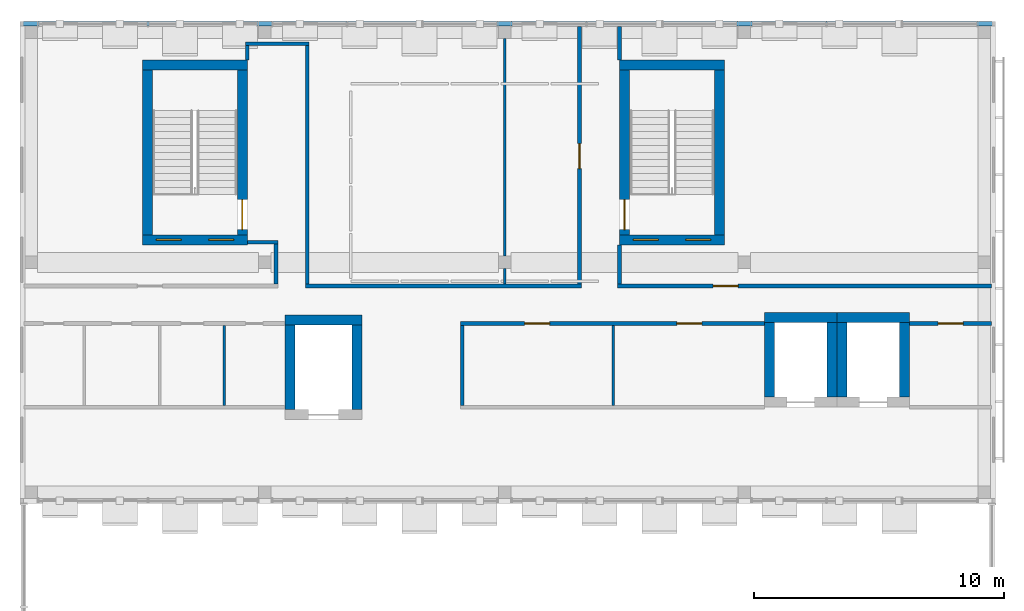
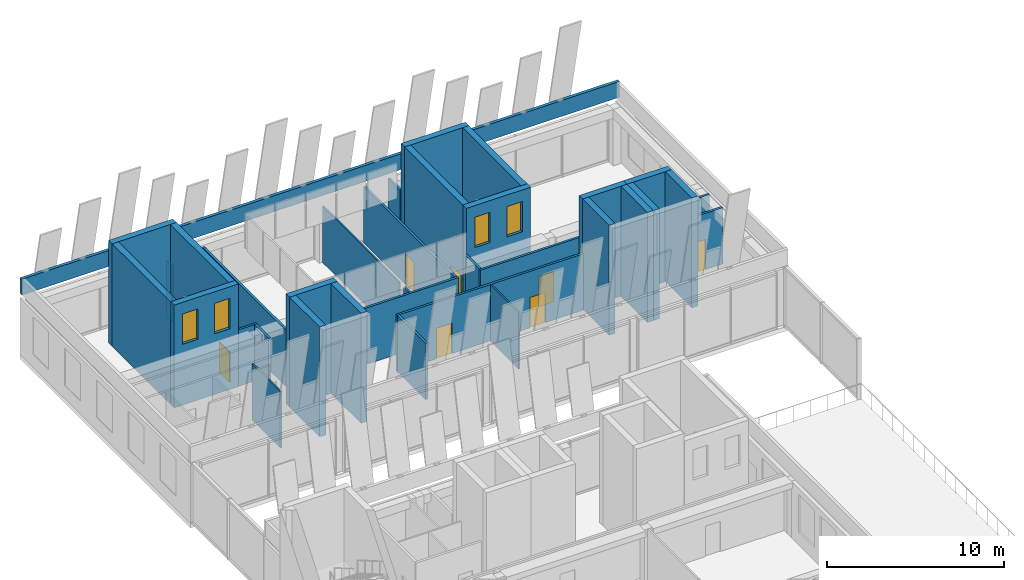
# One storey, part 19 of 26: 35 walls, 11 doors, 11 openings.
"""IFC4 building model written with IfcOpenShell, lengths in metres."""

from ifc_helpers import new_model, si_unit, direction, frame, frame_2d, origin, place, context, subcontext, project, spatial, rectangle, extrude, material, layer, layer_set, layer_usage, type_object, element, fill, save


model = new_model("IFC4")

# Units and contexts
model_context = context("Model", 3, precision=1e-05, world=origin(), true_north=direction((0.0, 1.0)))
body_context = subcontext(model_context, "Body", "Model", "MODEL_VIEW")
ifc_project = project(units=[si_unit("LENGTHUNIT", "METRE"), si_unit("AREAUNIT", "SQUARE_METRE"), si_unit("VOLUMEUNIT", "CUBIC_METRE"), si_unit("PLANEANGLEUNIT", "RADIAN"), si_unit("MASSUNIT", "GRAM", prefix="KILO")], contexts=[model_context])

# Site, building, storey
site_placement = place(None, origin())
site = spatial("IfcSite", under=ifc_project, at=site_placement, CompositionType="ELEMENT")
building_placement = place(site_placement, origin())
building = spatial("IfcBuilding", under=site, at=building_placement, Name="Nzadi Deep Aquarium and Research Tower", CompositionType="ELEMENT")
storey_placement = place(building_placement, frame((0.0, 0.0, 78.10009765625)))
storey = spatial("IfcBuildingStorey", under=building, at=storey_placement, Name="L16", CompositionType="ELEMENT", Elevation=78.10009765625)

# Walls
ifc_material_1 = material(Name="Graphite aluminium shingle", Category="aluminium")
ifc_layer_1 = layer(ifc_material_1, 0.050048828125, Category="cladding")
ifc_material_2 = material(Name="Concrete C35/45", Category="concrete")
ifc_layer_2 = layer(ifc_material_2, 0.14990234375, Category="structure")
ifc_layer_set_1 = layer_set([ifc_layer_1, ifc_layer_2], Name="Graphite aluminium shingle, Concrete C35/45")
ifc_layer_usage = layer_usage(ifc_layer_set_1, "AXIS2", "POSITIVE", -0.0999755859375)
wall_type_1 = type_object("IfcWallType", Name="Parapet board-formed concrete 200 tower roof", PredefinedType="PARAPET", material=ifc_layer_set_1)
wall_1_placement = place(storey_placement, frame((38.8505859375, 46.35009765625, 4.199951171875), z_axis=(0.0, 0.0, 1.0), x_axis=(-1.0, 0.0, 0.0)))
element("IfcWall", 1, at=wall_1_placement, inside=storey, type_object=wall_type_1, material=ifc_layer_usage, Name="Parapet", PredefinedType="PARAPET", context=body_context, shape_type="SweptSolid", body=[
    extrude(rectangle(XDim=39.050048828125, YDim=0.199951171875, at=frame_2d((19.52490234375, 0.0))), origin(), (0.0, 0.0, 1.0), 1.099853515625),
])
ifc_material_3 = material(Name="Blockwork masonry", Category="masonry")
ifc_layer_3 = layer(ifc_material_3, 0.10009765625)
ifc_layer_set_2 = layer_set([ifc_layer_3], Name="Blockwork masonry")
wall_type_2 = type_object("IfcWallType", Name="Partition 100 EI 30", PredefinedType="PARTITIONING", material=ifc_layer_set_2)
wall_2_placement = place(storey_placement, frame((7.976806640625, 31.074951171875, 0.0), z_axis=(0.0, 0.0, 1.0), x_axis=(0.0, 1.0, 0.0)))
element("IfcWall", 2, at=wall_2_placement, inside=storey, type_object=wall_type_2, Name="W-Z1-L16-P011", PredefinedType="PARTITIONING", context=body_context, shape_type="SweptSolid", body=[
    extrude(rectangle(XDim=3.199951171875, YDim=0.10009765625, at=frame_2d((1.60009765625, 0.0))), origin(), (0.0, 0.0, 1.0), 3.89990234375),
])
wall_3_placement = place(storey_placement, frame((19.199951171875, 35.925048828125, 0.0), z_axis=(0.0, 0.0, 1.0), x_axis=(0.0, 1.0, 0.0)))
element("IfcWall", 3, at=wall_3_placement, inside=storey, type_object=wall_type_2, Name="W-Z1-L16-P028", PredefinedType="PARTITIONING", context=body_context, shape_type="SweptSolid", body=[
    extrude(rectangle(XDim=0.625, YDim=0.10009765625, at=frame_2d((0.3125, 0.0))), origin(), (0.0, 0.0, 1.0), 3.89990234375),
])
wall_4_placement = place(storey_placement, frame((19.199951171875, 37.050048828125, 0.0), z_axis=(0.0, 0.0, 1.0), x_axis=(0.0, 1.0, 0.0)))
element("IfcWall", 4, at=wall_4_placement, inside=storey, type_object=wall_type_2, Name="W-Z1-L16-P029", PredefinedType="PARTITIONING", context=body_context, shape_type="SweptSolid", body=[
    extrude(rectangle(XDim=8.699951171875, YDim=0.10009765625, at=frame_2d((4.35009765625, 0.0))), origin(), (0.0, 0.0, 1.0), 3.89990234375),
])
wall_5_placement = place(storey_placement, frame((23.550048828125, 31.074951171875, 0.0), z_axis=(0.0, 0.0, 1.0), x_axis=(0.0, 1.0, 0.0)))
element("IfcWall", 5, at=wall_5_placement, inside=storey, type_object=wall_type_2, Name="W-Z1-L16-P031", PredefinedType="PARTITIONING", context=body_context, shape_type="SweptSolid", body=[
    extrude(rectangle(XDim=3.199951171875, YDim=0.10009765625, at=frame_2d((1.60009765625, 0.0))), origin(), (0.0, 0.0, 1.0), 3.89990234375),
])
ifc_material_4 = material(Name="Blockwork masonry", Category="masonry")
ifc_layer_4 = layer(ifc_material_4, 0.14990234375)
ifc_layer_set_3 = layer_set([ifc_layer_4], Name="Blockwork masonry")
wall_type_3 = type_object("IfcWallType", Name="Partition 150 EI 60", PredefinedType="PARTITIONING", material=ifc_layer_set_3)
wall_6_placement = place(storey_placement, frame((8.89990234375, 44.906005859375, 0.0), z_axis=(0.0, 0.0, 1.0), x_axis=(0.0, 1.0, 0.0)))
element("IfcWall", 6, at=wall_6_placement, inside=storey, type_object=wall_type_3, Name="W-Z1-L16-P013", PredefinedType="PARTITIONING", context=body_context, shape_type="SweptSolid", body=[
    extrude(rectangle(XDim=0.569091796875, YDim=0.14990234375, at=frame_2d((0.28466796875, 0.0))), origin(), (0.0, 0.0, 1.0), 3.89990234375),
])
wall_7_placement = place(storey_placement, frame((8.824951171875, 45.550048828125, 0.0), z_axis=(0.0, 0.0, 1.0), x_axis=(1.0, 0.0, 0.0)))
element("IfcWall", 7, at=wall_7_placement, inside=storey, type_object=wall_type_3, Name="W-Z1-L16-P014", PredefinedType="PARTITIONING", context=body_context, shape_type="SweptSolid", body=[
    extrude(rectangle(XDim=2.550048828125, YDim=0.14990234375, at=frame_2d((1.27490234375, 0.0))), origin(), (0.0, 0.0, 1.0), 3.89990234375),
])
wall_8_placement = place(storey_placement, frame((8.906005859375, 37.60009765625, 0.0), z_axis=(0.0, 0.0, 1.0), x_axis=(1.0, 0.0, 0.0)))
element("IfcWall", 8, at=wall_8_placement, inside=storey, type_object=wall_type_3, Name="W-Z1-L16-P015", PredefinedType="PARTITIONING", context=body_context, shape_type="SweptSolid", body=[
    extrude(rectangle(XDim=1.218994140625, YDim=0.14990234375, at=frame_2d((0.609375, 0.0))), origin(), (0.0, 0.0, 1.0), 3.89990234375),
])
wall_9_placement = place(storey_placement, frame((10.050048828125, 35.925048828125, 0.0), z_axis=(0.0, 0.0, 1.0), x_axis=(0.0, 1.0, 0.0)))
element("IfcWall", 9, at=wall_9_placement, inside=storey, type_object=wall_type_3, Name="W-Z1-L16-P019", PredefinedType="PARTITIONING", context=body_context, shape_type="SweptSolid", body=[
    extrude(rectangle(XDim=1.599853515625, YDim=0.14990234375, at=frame_2d((0.7998046875, 0.0))), origin(), (0.0, 0.0, 1.0), 3.89990234375),
])
wall_10_placement = place(storey_placement, frame((11.22509765625, 35.85009765625, 0.0), z_axis=(0.0, 0.0, 1.0), x_axis=(1.0, 0.0, 0.0)))
element("IfcWall", 10, at=wall_10_placement, inside=storey, type_object=wall_type_3, Name="W-Z1-L16-P021", PredefinedType="PARTITIONING", context=body_context, shape_type="SweptSolid", body=[
    extrude(rectangle(XDim=11.0498046875, YDim=0.14990234375, at=frame_2d((5.52490234375, 0.0))), origin(), (0.0, 0.0, 1.0), 3.89990234375),
])
wall_11_placement = place(storey_placement, frame((11.300048828125, 35.925048828125, 0.0), z_axis=(0.0, 0.0, 1.0), x_axis=(0.0, 1.0, 0.0)))
element("IfcWall", 11, at=wall_11_placement, inside=storey, type_object=wall_type_3, Name="W-Z1-L16-P022", PredefinedType="PARTITIONING", context=body_context, shape_type="SweptSolid", body=[
    extrude(rectangle(XDim=9.550048828125, YDim=0.14990234375, at=frame_2d((4.77490234375, 0.0))), origin(), (0.0, 0.0, 1.0), 3.89990234375),
])
wall_12_placement = place(storey_placement, frame((17.5, 31.074951171875, 0.0), z_axis=(0.0, 0.0, 1.0), x_axis=(0.0, 1.0, 0.0)))
element("IfcWall", 12, at=wall_12_placement, inside=storey, type_object=wall_type_3, Name="W-Z1-L16-P024", PredefinedType="PARTITIONING", context=body_context, shape_type="SweptSolid", body=[
    extrude(rectangle(XDim=3.199951171875, YDim=0.14990234375, at=frame_2d((1.60009765625, 0.0))), origin(), (0.0, 0.0, 1.0), 3.89990234375),
])

# Wall, openings, doors
wall_13_placement = place(storey_placement, frame((17.425048828125, 34.35009765625, 0.0), z_axis=(0.0, 0.0, 1.0), x_axis=(1.0, 0.0, 0.0)))
wall_13 = element("IfcWall", 13, at=wall_13_placement, inside=storey, type_object=wall_type_3, Name="W-Z1-L16-P025", PredefinedType="PARTITIONING", context=body_context, shape_type="SweptSolid", body=[
    extrude(rectangle(XDim=12.1689453125, YDim=0.14990234375, at=frame_2d((6.08447265625, 0.0))), origin(), (0.0, 0.0, 1.0), 3.89990234375),
])
opening_1_placement = place(wall_13_placement, frame((2.574951171875, 0.0, 0.0)))
opening_1 = element("IfcOpeningElement", 14, at=opening_1_placement, cuts=wall_13, Name="Opening D171013", PredefinedType="OPENING", context=body_context, shape_type="SweptSolid", body=[
    extrude(rectangle(XDim=1.0, YDim=2.10009765625, at=frame_2d((0.5, 1.050048828125))), frame((0.0, 0.0849609375, 0.0), z_axis=(0.0, -1.0, 0.0), x_axis=(1.0, 0.0, 0.0)), (0.0, 0.0, 1.0), 0.169921875),
])
opening_2_placement = place(wall_13_placement, frame((8.675048828125, 0.0, 0.0)))
opening_2 = element("IfcOpeningElement", 15, at=opening_2_placement, cuts=wall_13, Name="Opening D171014", PredefinedType="OPENING", context=body_context, shape_type="SweptSolid", body=[
    extrude(rectangle(XDim=1.0, YDim=2.10009765625, at=frame_2d((0.5, 1.050048828125))), frame((0.0, 0.0849609375, 0.0), z_axis=(0.0, -1.0, 0.0), x_axis=(1.0, 0.0, 0.0)), (0.0, 0.0, 1.0), 0.169921875),
])
ifc_material_5 = material(Name="Fire-rated steel door", Category="steel")
ifc_layer_5 = layer(ifc_material_5, 0.050048828125)
ifc_layer_set_4 = layer_set([ifc_layer_5], Name="Fire-rated steel door")
door_type_1 = type_object("IfcDoorType", Name="Door 1000x2100 EI 60 single", OperationType="SINGLE_SWING_LEFT", PredefinedType="DOOR", material=ifc_layer_set_4)
door_1_placement = place(opening_1_placement, origin())
door_1 = element("IfcDoor", 16, at=door_1_placement, inside=storey, type_object=door_type_1, Name="D171013", OperationType="SINGLE_SWING_LEFT", OverallHeight=2.10009765625, OverallWidth=1.0, PredefinedType="DOOR", context=body_context, shape_type="SweptSolid", body=[
    extrude(rectangle(XDim=1.0, YDim=2.10009765625, at=frame_2d((0.5, 1.050048828125))), frame((0.0, 0.02490234375, 0.0), z_axis=(0.0, -1.0, 0.0), x_axis=(1.0, 0.0, 0.0)), (0.0, 0.0, 1.0), 0.050048828125),
])
fill(opening_1, door_1)
door_2_placement = place(opening_2_placement, origin())
door_2 = element("IfcDoor", 17, at=door_2_placement, inside=storey, type_object=door_type_1, Name="D171014", OperationType="SINGLE_SWING_LEFT", OverallHeight=2.10009765625, OverallWidth=1.0, PredefinedType="DOOR", context=body_context, shape_type="SweptSolid", body=[
    extrude(rectangle(XDim=1.0, YDim=2.10009765625, at=frame_2d((0.5, 1.050048828125))), frame((0.0, 0.02490234375, 0.0), z_axis=(0.0, -1.0, 0.0), x_axis=(1.0, 0.0, 0.0)), (0.0, 0.0, 1.0), 0.050048828125),
])
fill(opening_2, door_2)

# Wall, opening, door
wall_14_placement = place(storey_placement, frame((22.199951171875, 35.925048828125, 0.0), z_axis=(0.0, 0.0, 1.0), x_axis=(0.0, 1.0, 0.0)))
wall_14 = element("IfcWall", 18, at=wall_14_placement, inside=storey, type_object=wall_type_3, Name="W-Z1-L16-P030", PredefinedType="PARTITIONING", context=body_context, shape_type="SweptSolid", body=[
    extrude(rectangle(XDim=10.31884765625, YDim=0.14990234375, at=frame_2d((5.159423828125, 0.0))), origin(), (0.0, 0.0, 1.0), 3.89990234375),
])
opening_3_placement = place(wall_14_placement, frame((4.625, 0.0, 0.0)))
opening_3 = element("IfcOpeningElement", 19, at=opening_3_placement, cuts=wall_14, Name="Opening D171017", PredefinedType="OPENING", context=body_context, shape_type="SweptSolid", body=[
    extrude(rectangle(XDim=1.0, YDim=2.10009765625, at=frame_2d((0.5, 1.050048828125))), frame((0.0, 0.0849609375, 0.0), z_axis=(0.0, -1.0, 0.0), x_axis=(1.0, 0.0, 0.0)), (0.0, 0.0, 1.0), 0.169921875),
])
door_3_placement = place(opening_3_placement, origin())
door_3 = element("IfcDoor", 20, at=door_3_placement, inside=storey, type_object=door_type_1, Name="D171017", OperationType="SINGLE_SWING_RIGHT", OverallHeight=2.10009765625, OverallWidth=1.0, PredefinedType="DOOR", context=body_context, shape_type="SweptSolid", body=[
    extrude(rectangle(XDim=1.0, YDim=2.10009765625, at=frame_2d((0.5, 1.050048828125))), frame((0.0, 0.02490234375, 0.0), z_axis=(0.0, -1.0, 0.0), x_axis=(1.0, 0.0, 0.0)), (0.0, 0.0, 1.0), 0.050048828125),
])
fill(opening_3, door_3)

wall_15_placement = place(storey_placement, frame((23.72509765625, 35.85009765625, 0.0), z_axis=(0.0, 0.0, 1.0), x_axis=(1.0, 0.0, 0.0)))
wall_15 = element("IfcWall", 21, at=wall_15_placement, inside=storey, type_object=wall_type_3, Name="W-Z1-L16-P032", PredefinedType="PARTITIONING", context=body_context, shape_type="SweptSolid", body=[
    extrude(rectangle(XDim=14.968994140625, YDim=0.14990234375, at=frame_2d((7.484375, 0.0))), origin(), (0.0, 0.0, 1.0), 3.89990234375),
])
opening_4_placement = place(wall_15_placement, frame((3.824951171875, 0.0, 0.0)))
opening_4 = element("IfcOpeningElement", 22, at=opening_4_placement, cuts=wall_15, Name="Opening D171018", PredefinedType="OPENING", context=body_context, shape_type="SweptSolid", body=[
    extrude(rectangle(XDim=1.0, YDim=2.10009765625, at=frame_2d((0.5, 1.050048828125))), frame((0.0, 0.0849609375, 0.0), z_axis=(0.0, -1.0, 0.0), x_axis=(1.0, 0.0, 0.0)), (0.0, 0.0, 1.0), 0.169921875),
])
door_4_placement = place(opening_4_placement, origin())
door_4 = element("IfcDoor", 23, at=door_4_placement, inside=storey, type_object=door_type_1, Name="D171018", OperationType="SINGLE_SWING_RIGHT", OverallHeight=2.10009765625, OverallWidth=1.0, PredefinedType="DOOR", context=body_context, shape_type="SweptSolid", body=[
    extrude(rectangle(XDim=1.0, YDim=2.10009765625, at=frame_2d((0.5, 1.050048828125))), frame((0.0, 0.02490234375, 0.0), z_axis=(0.0, -1.0, 0.0), x_axis=(1.0, 0.0, 0.0)), (0.0, 0.0, 1.0), 0.050048828125),
])
fill(opening_4, door_4)

# Walls
wall_16_placement = place(storey_placement, frame((23.800048828125, 35.925048828125, 0.0), z_axis=(0.0, 0.0, 1.0), x_axis=(0.0, 1.0, 0.0)))
element("IfcWall", 24, at=wall_16_placement, inside=storey, type_object=wall_type_3, Name="W-Z1-L16-P033", PredefinedType="PARTITIONING", context=body_context, shape_type="SweptSolid", body=[
    extrude(rectangle(XDim=1.56884765625, YDim=0.14990234375, at=frame_2d((0.784423828125, 0.0))), origin(), (0.0, 0.0, 1.0), 3.89990234375),
])
wall_17_placement = place(storey_placement, frame((23.800048828125, 44.906005859375, 0.0), z_axis=(0.0, 0.0, 1.0), x_axis=(0.0, 1.0, 0.0)))
element("IfcWall", 25, at=wall_17_placement, inside=storey, type_object=wall_type_3, Name="W-Z1-L16-P034", PredefinedType="PARTITIONING", context=body_context, shape_type="SweptSolid", body=[
    extrude(rectangle(XDim=1.337890625, YDim=0.14990234375, at=frame_2d((0.6689453125, 0.0))), origin(), (0.0, 0.0, 1.0), 3.89990234375),
])

# Wall, opening, door
wall_18_placement = place(storey_placement, frame((35.406005859375, 34.35009765625, 0.0), z_axis=(0.0, 0.0, 1.0), x_axis=(1.0, 0.0, 0.0)))
wall_18 = element("IfcWall", 26, at=wall_18_placement, inside=storey, type_object=wall_type_3, Name="W-Z1-L16-P036", PredefinedType="PARTITIONING", context=body_context, shape_type="SweptSolid", body=[
    extrude(rectangle(XDim=3.2880859375, YDim=0.14990234375, at=frame_2d((1.64404296875, 0.0))), origin(), (0.0, 0.0, 1.0), 3.89990234375),
])
opening_5_placement = place(wall_18_placement, frame((1.14404296875, 0.0, 0.0)))
opening_5 = element("IfcOpeningElement", 27, at=opening_5_placement, cuts=wall_18, Name="Opening D171015", PredefinedType="OPENING", context=body_context, shape_type="SweptSolid", body=[
    extrude(rectangle(XDim=1.0, YDim=2.10009765625, at=frame_2d((0.5, 1.050048828125))), frame((0.0, 0.0849609375, 0.0), z_axis=(0.0, -1.0, 0.0), x_axis=(1.0, 0.0, 0.0)), (0.0, 0.0, 1.0), 0.169921875),
])
door_5_placement = place(opening_5_placement, origin())
door_5 = element("IfcDoor", 28, at=door_5_placement, inside=storey, type_object=door_type_1, Name="D171015", OperationType="SINGLE_SWING_LEFT", OverallHeight=2.10009765625, OverallWidth=1.0, PredefinedType="DOOR", context=body_context, shape_type="SweptSolid", body=[
    extrude(rectangle(XDim=1.0, YDim=2.10009765625, at=frame_2d((0.5, 1.050048828125))), frame((0.0, 0.02490234375, 0.0), z_axis=(0.0, -1.0, 0.0), x_axis=(1.0, 0.0, 0.0)), (0.0, 0.0, 1.0), 0.050048828125),
])
fill(opening_5, door_5)

# Wall, openings, doors
ifc_material_6 = material(Name="Concrete C35/45", Category="concrete")
ifc_layer_6 = layer(ifc_material_6, 0.39990234375)
ifc_layer_set_5 = layer_set([ifc_layer_6], Name="Concrete C35/45")
wall_type_4 = type_object("IfcWallType", Name="RC core wall 400, 7.10 m high", PredefinedType="SHEAR", material=ifc_layer_set_5)
wall_19_placement = place(storey_placement, frame((4.699951171875, 37.699951171875, 0.0), z_axis=(0.0, 0.0, 1.0), x_axis=(1.0, 0.0, 0.0)))
wall_19 = element("IfcWall", 29, at=wall_19_placement, inside=storey, type_object=wall_type_4, Name="W-CORE-ST-Z1-NW-L16-S", PredefinedType="SHEAR", context=body_context, shape_type="SweptSolid", body=[
    extrude(rectangle(XDim=4.199951171875, YDim=0.39990234375, at=frame_2d((2.10009765625, 0.0))), origin(), (0.0, 0.0, 1.0), 7.099853515625),
])
opening_6_placement = place(wall_19_placement, frame((0.550048828125, 0.0, 4.199951171875)))
opening_6 = element("IfcOpeningElement", 30, at=opening_6_placement, cuts=wall_19, Name="Opening DS-Z1-NW-ROOFA", PredefinedType="OPENING", context=body_context, shape_type="SweptSolid", body=[
    extrude(rectangle(XDim=1.0, YDim=2.10009765625, at=frame_2d((0.5, 1.050048828125))), frame((0.0, 0.2099609375, 0.0), z_axis=(0.0, -1.0, 0.0), x_axis=(1.0, 0.0, 0.0)), (0.0, 0.0, 1.0), 0.419921875),
])
opening_7_placement = place(wall_19_placement, frame((2.64990234375, 0.0, 4.199951171875)))
opening_7 = element("IfcOpeningElement", 31, at=opening_7_placement, cuts=wall_19, Name="Opening DS-Z1-NW-ROOFB", PredefinedType="OPENING", context=body_context, shape_type="SweptSolid", body=[
    extrude(rectangle(XDim=1.0, YDim=2.10009765625, at=frame_2d((0.5, 1.050048828125))), frame((0.0, 0.2099609375, 0.0), z_axis=(0.0, -1.0, 0.0), x_axis=(1.0, 0.0, 0.0)), (0.0, 0.0, 1.0), 0.419921875),
])
ifc_material_7 = material(Name="Steel, powder coated", Category="steel")
door_type_2 = type_object("IfcDoorType", Name="STAIR DOOR 1000x2100 EI 60", OperationType="SINGLE_SWING_LEFT", PredefinedType="DOOR", material=ifc_material_7)
door_6_placement = place(opening_6_placement, frame((1.0, 0.0, 0.0), z_axis=(0.0, 0.0, 1.0), x_axis=(-1.0, 0.0, 0.0)))
door_6 = element("IfcDoor", 32, at=door_6_placement, inside=storey, type_object=door_type_2, Name="Stair door ST-Z1-NW roof A", OperationType="SINGLE_SWING_LEFT", OverallHeight=2.10009765625, OverallWidth=1.0, PredefinedType="DOOR", context=body_context, shape_type="SweptSolid", body=[
    extrude(rectangle(XDim=1.0, YDim=2.10009765625, at=frame_2d((0.5, 1.050048828125))), frame((0.0, 0.02490234375, 0.0), z_axis=(0.0, -1.0, 0.0), x_axis=(1.0, 0.0, 0.0)), (0.0, 0.0, 1.0), 0.050048828125),
])
fill(opening_6, door_6)
door_7_placement = place(opening_7_placement, frame((1.0, 0.0, 0.0), z_axis=(0.0, 0.0, 1.0), x_axis=(-1.0, 0.0, 0.0)))
door_7 = element("IfcDoor", 33, at=door_7_placement, inside=storey, type_object=door_type_2, Name="Stair door ST-Z1-NW roof B", OperationType="SINGLE_SWING_RIGHT", OverallHeight=2.10009765625, OverallWidth=1.0, PredefinedType="DOOR", context=body_context, shape_type="SweptSolid", body=[
    extrude(rectangle(XDim=1.0, YDim=2.10009765625, at=frame_2d((0.5, 1.050048828125))), frame((0.0, 0.02490234375, 0.0), z_axis=(0.0, -1.0, 0.0), x_axis=(1.0, 0.0, 0.0)), (0.0, 0.0, 1.0), 0.050048828125),
])
fill(opening_7, door_7)

# Walls
wall_20_placement = place(storey_placement, frame((4.699951171875, 44.699951171875, 0.0), z_axis=(0.0, 0.0, 1.0), x_axis=(1.0, 0.0, 0.0)))
element("IfcWall", 34, at=wall_20_placement, inside=storey, type_object=wall_type_4, Name="W-CORE-ST-Z1-NW-L16-N", PredefinedType="SHEAR", context=body_context, shape_type="SweptSolid", body=[
    extrude(rectangle(XDim=4.199951171875, YDim=0.39990234375, at=frame_2d((2.10009765625, 0.0))), origin(), (0.0, 0.0, 1.0), 7.099853515625),
])
wall_21_placement = place(storey_placement, frame((4.89990234375, 37.89990234375, 0.0), z_axis=(0.0, 0.0, 1.0), x_axis=(0.0, 1.0, 0.0)))
element("IfcWall", 35, at=wall_21_placement, inside=storey, type_object=wall_type_4, Name="W-CORE-ST-Z1-NW-L16-W", PredefinedType="SHEAR", context=body_context, shape_type="SweptSolid", body=[
    extrude(rectangle(XDim=6.60009765625, YDim=0.39990234375, at=frame_2d((3.300048828125, 0.0))), origin(), (0.0, 0.0, 1.0), 7.099853515625),
])

# Wall, opening, door
wall_22_placement = place(storey_placement, frame((8.699951171875, 37.89990234375, 0.0), z_axis=(0.0, 0.0, 1.0), x_axis=(0.0, 1.0, 0.0)))
wall_22 = element("IfcWall", 36, at=wall_22_placement, inside=storey, type_object=wall_type_4, Name="W-CORE-ST-Z1-NW-L16-E", PredefinedType="SHEAR", context=body_context, shape_type="SweptSolid", body=[
    extrude(rectangle(XDim=6.60009765625, YDim=0.39990234375, at=frame_2d((3.300048828125, 0.0))), origin(), (0.0, 0.0, 1.0), 7.099853515625),
])
opening_8_placement = place(wall_22_placement, frame((0.2099609375, 0.0, 0.0)))
opening_8 = element("IfcOpeningElement", 37, at=opening_8_placement, cuts=wall_22, Name="Opening DS-Z1-NW-L16", PredefinedType="OPENING", context=body_context, shape_type="SweptSolid", body=[
    extrude(rectangle(XDim=1.199951171875, YDim=2.10009765625, at=frame_2d((0.60009765625, 1.050048828125))), frame((0.0, 0.2099609375, 0.0), z_axis=(0.0, -1.0, 0.0), x_axis=(1.0, 0.0, 0.0)), (0.0, 0.0, 1.0), 0.419921875),
])
ifc_material_8 = material(Name="Steel, powder coated", Category="steel")
door_type_3 = type_object("IfcDoorType", Name="STAIR DOOR 1200x2100 EI 60", OperationType="SINGLE_SWING_LEFT", PredefinedType="DOOR", material=ifc_material_8)
door_8_placement = place(opening_8_placement, origin())
door_8 = element("IfcDoor", 38, at=door_8_placement, inside=storey, type_object=door_type_3, Name="Stair door ST-Z1-NW L16", OperationType="SINGLE_SWING_RIGHT", OverallHeight=2.10009765625, OverallWidth=1.199951171875, PredefinedType="DOOR", context=body_context, shape_type="SweptSolid", body=[
    extrude(rectangle(XDim=1.199951171875, YDim=2.10009765625, at=frame_2d((0.60009765625, 1.050048828125))), frame((0.0, 0.02490234375, 0.0), z_axis=(0.0, -1.0, 0.0), x_axis=(1.0, 0.0, 0.0)), (0.0, 0.0, 1.0), 0.050048828125),
])
fill(opening_8, door_8)

# Wall, openings, doors
wall_23_placement = place(storey_placement, frame((23.800048828125, 37.699951171875, 0.0), z_axis=(0.0, 0.0, 1.0), x_axis=(1.0, 0.0, 0.0)))
wall_23 = element("IfcWall", 39, at=wall_23_placement, inside=storey, type_object=wall_type_4, Name="W-CORE-ST-Z1-NE-L16-S", PredefinedType="SHEAR", context=body_context, shape_type="SweptSolid", body=[
    extrude(rectangle(XDim=4.199951171875, YDim=0.39990234375, at=frame_2d((2.10009765625, 0.0))), origin(), (0.0, 0.0, 1.0), 7.099853515625),
])
opening_9_placement = place(wall_23_placement, frame((0.550048828125, 0.0, 4.199951171875)))
opening_9 = element("IfcOpeningElement", 40, at=opening_9_placement, cuts=wall_23, Name="Opening DS-Z1-NE-ROOFA", PredefinedType="OPENING", context=body_context, shape_type="SweptSolid", body=[
    extrude(rectangle(XDim=1.0, YDim=2.10009765625, at=frame_2d((0.5, 1.050048828125))), frame((0.0, 0.2099609375, 0.0), z_axis=(0.0, -1.0, 0.0), x_axis=(1.0, 0.0, 0.0)), (0.0, 0.0, 1.0), 0.419921875),
])
opening_10_placement = place(wall_23_placement, frame((2.64990234375, 0.0, 4.199951171875)))
opening_10 = element("IfcOpeningElement", 41, at=opening_10_placement, cuts=wall_23, Name="Opening DS-Z1-NE-ROOFB", PredefinedType="OPENING", context=body_context, shape_type="SweptSolid", body=[
    extrude(rectangle(XDim=1.0, YDim=2.10009765625, at=frame_2d((0.5, 1.050048828125))), frame((0.0, 0.2099609375, 0.0), z_axis=(0.0, -1.0, 0.0), x_axis=(1.0, 0.0, 0.0)), (0.0, 0.0, 1.0), 0.419921875),
])
door_9_placement = place(opening_9_placement, frame((1.0, 0.0, 0.0), z_axis=(0.0, 0.0, 1.0), x_axis=(-1.0, 0.0, 0.0)))
door_9 = element("IfcDoor", 42, at=door_9_placement, inside=storey, type_object=door_type_2, Name="Stair door ST-Z1-NE roof A", OperationType="SINGLE_SWING_LEFT", OverallHeight=2.10009765625, OverallWidth=1.0, PredefinedType="DOOR", context=body_context, shape_type="SweptSolid", body=[
    extrude(rectangle(XDim=1.0, YDim=2.10009765625, at=frame_2d((0.5, 1.050048828125))), frame((0.0, 0.02490234375, 0.0), z_axis=(0.0, -1.0, 0.0), x_axis=(1.0, 0.0, 0.0)), (0.0, 0.0, 1.0), 0.050048828125),
])
fill(opening_9, door_9)
door_10_placement = place(opening_10_placement, frame((1.0, 0.0, 0.0), z_axis=(0.0, 0.0, 1.0), x_axis=(-1.0, 0.0, 0.0)))
door_10 = element("IfcDoor", 43, at=door_10_placement, inside=storey, type_object=door_type_2, Name="Stair door ST-Z1-NE roof B", OperationType="SINGLE_SWING_RIGHT", OverallHeight=2.10009765625, OverallWidth=1.0, PredefinedType="DOOR", context=body_context, shape_type="SweptSolid", body=[
    extrude(rectangle(XDim=1.0, YDim=2.10009765625, at=frame_2d((0.5, 1.050048828125))), frame((0.0, 0.02490234375, 0.0), z_axis=(0.0, -1.0, 0.0), x_axis=(1.0, 0.0, 0.0)), (0.0, 0.0, 1.0), 0.050048828125),
])
fill(opening_10, door_10)

# Wall
wall_24_placement = place(storey_placement, frame((23.800048828125, 44.699951171875, 0.0), z_axis=(0.0, 0.0, 1.0), x_axis=(1.0, 0.0, 0.0)))
element("IfcWall", 44, at=wall_24_placement, inside=storey, type_object=wall_type_4, Name="W-CORE-ST-Z1-NE-L16-N", PredefinedType="SHEAR", context=body_context, shape_type="SweptSolid", body=[
    extrude(rectangle(XDim=4.199951171875, YDim=0.39990234375, at=frame_2d((2.10009765625, 0.0))), origin(), (0.0, 0.0, 1.0), 7.099853515625),
])

# Wall, opening, door
wall_25_placement = place(storey_placement, frame((24.0, 37.89990234375, 0.0), z_axis=(0.0, 0.0, 1.0), x_axis=(0.0, 1.0, 0.0)))
wall_25 = element("IfcWall", 45, at=wall_25_placement, inside=storey, type_object=wall_type_4, Name="W-CORE-ST-Z1-NE-L16-W", PredefinedType="SHEAR", context=body_context, shape_type="SweptSolid", body=[
    extrude(rectangle(XDim=6.60009765625, YDim=0.39990234375, at=frame_2d((3.300048828125, 0.0))), origin(), (0.0, 0.0, 1.0), 7.099853515625),
])
opening_11_placement = place(wall_25_placement, frame((0.2099609375, 0.0, 0.0)))
opening_11 = element("IfcOpeningElement", 46, at=opening_11_placement, cuts=wall_25, Name="Opening DS-Z1-NE-L16", PredefinedType="OPENING", context=body_context, shape_type="SweptSolid", body=[
    extrude(rectangle(XDim=1.199951171875, YDim=2.10009765625, at=frame_2d((0.60009765625, 1.050048828125))), frame((0.0, 0.2099609375, 0.0), z_axis=(0.0, -1.0, 0.0), x_axis=(1.0, 0.0, 0.0)), (0.0, 0.0, 1.0), 0.419921875),
])
door_11_placement = place(opening_11_placement, origin())
door_11 = element("IfcDoor", 47, at=door_11_placement, inside=storey, type_object=door_type_3, Name="Stair door ST-Z1-NE L16", OperationType="SINGLE_SWING_LEFT", OverallHeight=2.10009765625, OverallWidth=1.199951171875, PredefinedType="DOOR", context=body_context, shape_type="SweptSolid", body=[
    extrude(rectangle(XDim=1.199951171875, YDim=2.10009765625, at=frame_2d((0.60009765625, 1.050048828125))), frame((0.0, 0.02490234375, 0.0), z_axis=(0.0, -1.0, 0.0), x_axis=(1.0, 0.0, 0.0)), (0.0, 0.0, 1.0), 0.050048828125),
])
fill(opening_11, door_11)

# Walls
wall_26_placement = place(storey_placement, frame((27.800048828125, 37.89990234375, 0.0), z_axis=(0.0, 0.0, 1.0), x_axis=(0.0, 1.0, 0.0)))
element("IfcWall", 48, at=wall_26_placement, inside=storey, type_object=wall_type_4, Name="W-CORE-ST-Z1-NE-L16-E", PredefinedType="SHEAR", context=body_context, shape_type="SweptSolid", body=[
    extrude(rectangle(XDim=6.60009765625, YDim=0.39990234375, at=frame_2d((3.300048828125, 0.0))), origin(), (0.0, 0.0, 1.0), 7.099853515625),
])
ifc_material_9 = material(Name="Concrete C35/45", Category="concrete")
ifc_layer_7 = layer(ifc_material_9, 0.39990234375)
ifc_layer_set_6 = layer_set([ifc_layer_7], Name="Concrete C35/45")
wall_type_5 = type_object("IfcWallType", Name="RC core wall 400, 7.50 to 7.70 m high", PredefinedType="SHEAR", material=ifc_layer_set_6)
wall_27_placement = place(storey_placement, frame((10.39990234375, 34.5, 0.0), z_axis=(0.0, 0.0, 1.0), x_axis=(1.0, 0.0, 0.0)))
element("IfcWall", 49, at=wall_27_placement, inside=storey, type_object=wall_type_5, Name="W-CORE-FL2-L16-N", PredefinedType="SHEAR", context=body_context, shape_type="SweptSolid", body=[
    extrude(rectangle(XDim=3.10009765625, YDim=0.39990234375, at=frame_2d((1.550048828125, 0.0))), origin(), (0.0, 0.0, 1.0), 7.599853515625),
])
for number, where, z_axis, x_axis, name in (
    (50, (10.60009765625, 30.89990234375, 0.0), (0.0, 0.0, 1.0), (0.0, 1.0, 0.0), "W-CORE-FL2-L16-W"),
    (51, (13.300048828125, 30.89990234375, 0.0), (0.0, 0.0, 1.0), (0.0, 1.0, 0.0), "W-CORE-FL2-L16-E"),
):
    element("IfcWall", number, at=place(storey_placement, frame(where, z_axis=z_axis, x_axis=x_axis)), inside=storey, type_object=wall_type_5, Name=name, PredefinedType="SHEAR", context=body_context, shape_type="SweptSolid", body=[
        extrude(rectangle(XDim=3.400146484375, YDim=0.39990234375, at=frame_2d((1.7001953125, 0.0))), origin(), (0.0, 0.0, 1.0), 7.599853515625),
    ])
wall_28_placement = place(storey_placement, frame((29.60009765625, 34.60009765625, 0.0), z_axis=(0.0, 0.0, 1.0), x_axis=(1.0, 0.0, 0.0)))
element("IfcWall", 52, at=wall_28_placement, inside=storey, type_object=wall_type_5, Name="W-CORE-TL3-L16-N", PredefinedType="SHEAR", context=body_context, shape_type="SweptSolid", body=[
    extrude(rectangle(XDim=2.89990234375, YDim=0.39990234375, at=frame_2d((1.449951171875, 0.0))), origin(), (0.0, 0.0, 1.0), 7.599853515625),
])
for number, where, z_axis, x_axis, name in (
    (53, (29.800048828125, 31.39990234375, 0.0), (0.0, 0.0, 1.0), (0.0, 1.0, 0.0), "W-CORE-TL3-L16-W"),
    (54, (32.300048828125, 31.39990234375, 0.0), (0.0, 0.0, 1.0), (0.0, 1.0, 0.0), "W-CORE-TL3-L16-E"),
):
    element("IfcWall", number, at=place(storey_placement, frame(where, z_axis=z_axis, x_axis=x_axis)), inside=storey, type_object=wall_type_5, Name=name, PredefinedType="SHEAR", context=body_context, shape_type="SweptSolid", body=[
        extrude(rectangle(XDim=3.0, YDim=0.39990234375, at=frame_2d((1.5, 0.0))), origin(), (0.0, 0.0, 1.0), 7.599853515625),
    ])
wall_29_placement = place(storey_placement, frame((32.5, 34.60009765625, 0.0), z_axis=(0.0, 0.0, 1.0), x_axis=(1.0, 0.0, 0.0)))
element("IfcWall", 55, at=wall_29_placement, inside=storey, type_object=wall_type_5, Name="W-CORE-TL4-L16-N", PredefinedType="SHEAR", context=body_context, shape_type="SweptSolid", body=[
    extrude(rectangle(XDim=2.89990234375, YDim=0.39990234375, at=frame_2d((1.449951171875, 0.0))), origin(), (0.0, 0.0, 1.0), 7.599853515625),
])
for number, where, z_axis, x_axis, name in (
    (56, (32.699951171875, 31.39990234375, 0.0), (0.0, 0.0, 1.0), (0.0, 1.0, 0.0), "W-CORE-TL4-L16-W"),
    (57, (35.199951171875, 31.39990234375, 0.0), (0.0, 0.0, 1.0), (0.0, 1.0, 0.0), "W-CORE-TL4-L16-E"),
):
    element("IfcWall", number, at=place(storey_placement, frame(where, z_axis=z_axis, x_axis=x_axis)), inside=storey, type_object=wall_type_5, Name=name, PredefinedType="SHEAR", context=body_context, shape_type="SweptSolid", body=[
        extrude(rectangle(XDim=3.0, YDim=0.39990234375, at=frame_2d((1.5, 0.0))), origin(), (0.0, 0.0, 1.0), 7.599853515625),
    ])

save(model, "model.ifc")
